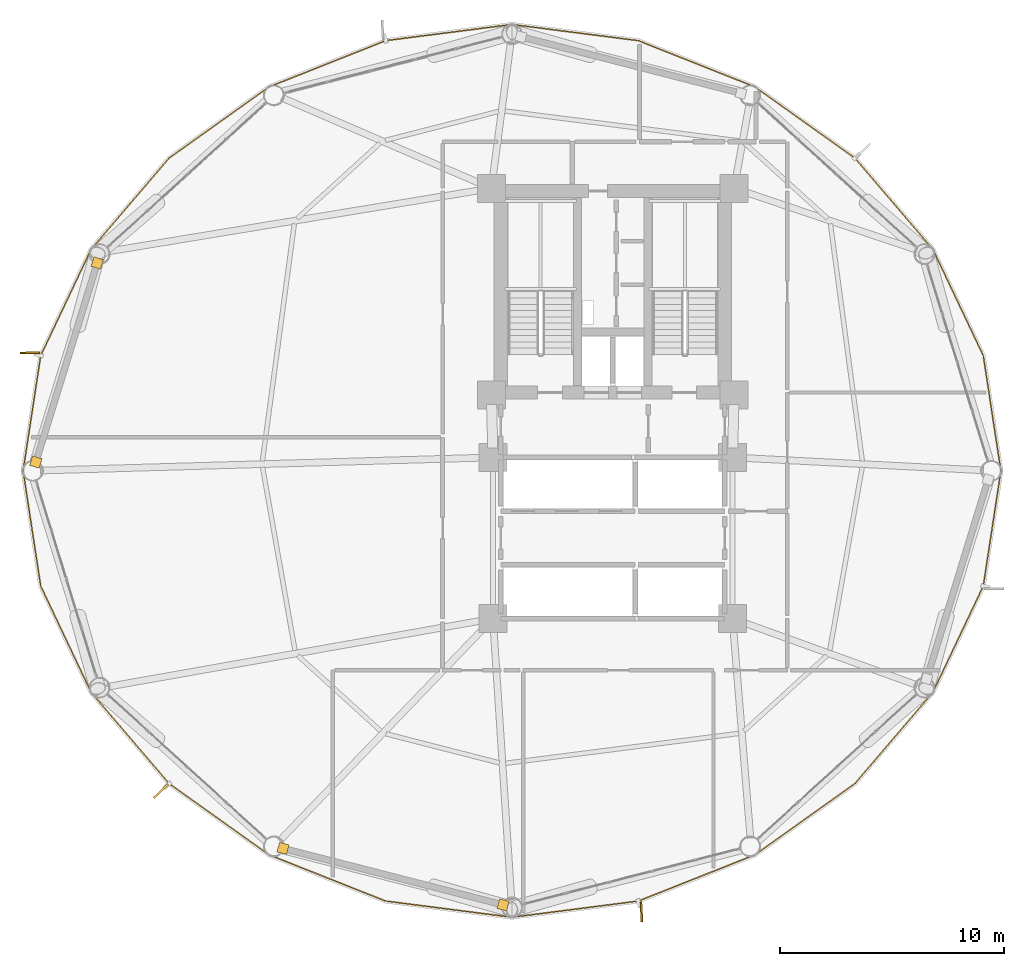
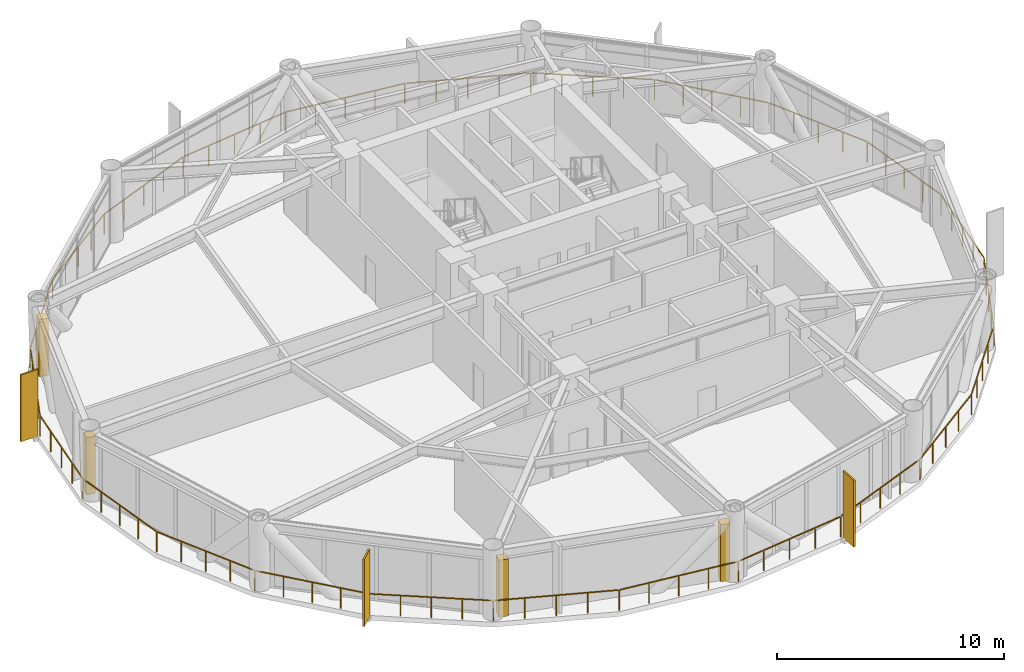
# One storey, part 23 of 25: 4 coverings, 3 shading devices, 1 railing.
"""IFC4 building model written with IfcOpenShell, lengths in metres."""

from ifc_helpers import new_model, si_unit, direction, frame, origin, origin_2d, place, context, subcontext, project, spatial, rectangle, extrude, source, transform, mapped, material, layer, layer_set, type_object, type_shapes, element, save


model = new_model("IFC4")

# Units and contexts
model_context = context("Model", 3, precision=1e-05, world=origin(), true_north=direction((0.0, 1.0)))
body_context = subcontext(model_context, "Body", "Model", "MODEL_VIEW")
ifc_project = project(units=[si_unit("LENGTHUNIT", "METRE"), si_unit("AREAUNIT", "SQUARE_METRE"), si_unit("VOLUMEUNIT", "CUBIC_METRE"), si_unit("PLANEANGLEUNIT", "RADIAN"), si_unit("MASSUNIT", "GRAM", prefix="KILO")], contexts=[model_context])

# Site, building, storey
site_placement = place(None, origin())
site = spatial("IfcSite", under=ifc_project, at=site_placement, CompositionType="ELEMENT")
building_placement = place(site_placement, origin())
building = spatial("IfcBuilding", under=site, at=building_placement, Name="Varnakorn Sky Granary", CompositionType="ELEMENT")
storey_placement = place(building_placement, frame((0.0, 0.0, 58.800048828125)))
storey = spatial("IfcBuildingStorey", under=building, at=storey_placement, Name="L14", CompositionType="ELEMENT", Elevation=58.800048828125)

# Railing
ifc_material = material(Name="Anodised Bronze Aluminium Alloy 6063-T6", Category="aluminium")
railing_type = type_object("IfcRailingType", Name="RL-BAL-1120", PredefinedType="BALUSTRADE", material=ifc_material)
railing_placement = place(storey_placement, frame((20.3369140625, 0.0, 0.0)))
element("IfcRailing", 1, at=railing_placement, inside=storey, type_object=railing_type, Name="Perimeter Slab-Edge Safety Guard L14", PredefinedType="BALUSTRADE", context=body_context, shape_type="SweptSolid", body=[
    extrude(rectangle(XDim=0.048095703125, YDim=0.048095703125, at=origin_2d()), frame((-0.004150390625, -0.027587890625, 1.09619140625), z_axis=(-0.151119609597, -0.988515484752, 0.0), x_axis=(0.988515484752, -0.151119609597, 0.0)), (0.0, 0.0, 1.0), 5.149169921875),
    extrude(rectangle(XDim=0.048095703125, YDim=0.048095703125, at=origin_2d()), frame((-0.798583984375, -5.1708984375, 1.09619140625), z_axis=(-0.428379661267, -0.903598841197, 0.0), x_axis=(0.903598841197, -0.428379661267, 0.0)), (0.0, 0.0, 1.0), 5.203125),
    extrude(rectangle(XDim=0.048095703125, YDim=0.048095703125, at=origin_2d()), frame((-3.057861328125, -9.9189453125, 1.09619140625), z_axis=(-0.649796017062, -0.76010863448, 0.0), x_axis=(0.76010863448, -0.649796017062, 0.0)), (0.0, 0.0, 1.0), 5.2998046875),
    extrude(rectangle(XDim=0.048095703125, YDim=0.048095703125, at=origin_2d()), frame((-6.54248046875, -13.985107421875, 1.09619140625), z_axis=(-0.814371022533, -0.580344585275, 0.0), x_axis=(0.580344585275, -0.814371022533, 0.0)), (0.0, 0.0, 1.0), 5.425048828125),
    extrude(rectangle(XDim=0.048095703125, YDim=0.048095703125, at=origin_2d()), frame((-11.009521484375, -17.159912109375, 1.09619140625), z_axis=(-0.929613398903, -0.368536197111, 0.0), x_axis=(0.368536197111, -0.929613398903, 0.0)), (0.0, 0.0, 1.0), 5.551025390625),
    extrude(rectangle(XDim=0.048095703125, YDim=0.048095703125, at=origin_2d()), frame((-16.2236328125, -19.2197265625, 1.09619140625), z_axis=(-0.991883330611, -0.127151321097, 0.0), x_axis=(0.127151321097, -0.991883330611, 0.0)), (0.0, 0.0, 1.0), 5.63134765625),
    extrude(rectangle(XDim=0.048095703125, YDim=0.048095703125, at=origin_2d()), frame((-21.86474609375, -19.935546875, 1.09619140625), z_axis=(-0.991883330611, 0.127151321097, 0.0), x_axis=(-0.127151321097, -0.991883330611, 0.0)), (0.0, 0.0, 1.0), 5.63134765625),
    extrude(rectangle(XDim=0.048095703125, YDim=0.048095703125, at=origin_2d()), frame((-27.504150390625, -19.205810546875, 1.09619140625), z_axis=(-0.929613398903, 0.368536197111, 0.0), x_axis=(-0.368536197111, -0.929613398903, 0.0)), (0.0, 0.0, 1.0), 5.551025390625),
    extrude(rectangle(XDim=0.048095703125, YDim=0.048095703125, at=origin_2d()), frame((-32.713134765625, -17.13330078125, 1.09619140625), z_axis=(-0.814371022533, 0.580344585275, 0.0), x_axis=(-0.580344585275, -0.814371022533, 0.0)), (0.0, 0.0, 1.0), 5.425048828125),
    extrude(rectangle(XDim=0.048095703125, YDim=0.048095703125, at=origin_2d()), frame((-37.17236328125, -13.947509765625, 1.09619140625), z_axis=(-0.649796017062, 0.76010863448, 0.0), x_axis=(-0.76010863448, -0.649796017062, 0.0)), (0.0, 0.0, 1.0), 5.2998046875),
    extrude(rectangle(XDim=0.048095703125, YDim=0.048095703125, at=origin_2d()), frame((-40.646240234375, -9.872314453125, 1.09619140625), z_axis=(-0.428379661267, 0.903598841197, 0.0), x_axis=(-0.903598841197, -0.428379661267, 0.0)), (0.0, 0.0, 1.0), 5.203125),
    extrude(rectangle(XDim=0.048095703125, YDim=0.048095703125, at=origin_2d()), frame((-42.891357421875, -5.117919921875, 1.09619140625), z_axis=(-0.151119609597, 0.988515484752, 0.0), x_axis=(-0.988515484752, -0.151119609597, 0.0)), (0.0, 0.0, 1.0), 5.149169921875),
    extrude(rectangle(XDim=0.048095703125, YDim=0.048095703125, at=origin_2d()), frame((-43.669677734375, 0.027587890625, 1.09619140625), z_axis=(0.151119609597, 0.988515484752, 0.0), x_axis=(-0.988515484752, 0.151119609597, 0.0)), (0.0, 0.0, 1.0), 5.149169921875),
    extrude(rectangle(XDim=0.048095703125, YDim=0.048095703125, at=origin_2d()), frame((-42.875244140625, 5.1708984375, 1.09619140625), z_axis=(0.428379661267, 0.903598841197, 0.0), x_axis=(-0.903598841197, 0.428379661267, 0.0)), (0.0, 0.0, 1.0), 5.203125),
    extrude(rectangle(XDim=0.048095703125, YDim=0.048095703125, at=origin_2d()), frame((-40.615966796875, 9.9189453125, 1.09619140625), z_axis=(0.649796017062, 0.76010863448, 0.0), x_axis=(-0.76010863448, 0.649796017062, 0.0)), (0.0, 0.0, 1.0), 5.2998046875),
    extrude(rectangle(XDim=0.048095703125, YDim=0.048095703125, at=origin_2d()), frame((-37.13134765625, 13.985107421875, 1.09619140625), z_axis=(0.814371022533, 0.580344585275, 0.0), x_axis=(-0.580344585275, 0.814371022533, 0.0)), (0.0, 0.0, 1.0), 5.425048828125),
    extrude(rectangle(XDim=0.048095703125, YDim=0.048095703125, at=origin_2d()), frame((-32.664306640625, 17.159912109375, 1.09619140625), z_axis=(0.929613398903, 0.368536197111, 0.0), x_axis=(-0.368536197111, 0.929613398903, 0.0)), (0.0, 0.0, 1.0), 5.551025390625),
    extrude(rectangle(XDim=0.048095703125, YDim=0.048095703125, at=origin_2d()), frame((-27.4501953125, 19.2197265625, 1.09619140625), z_axis=(0.991883330611, 0.127151321097, 0.0), x_axis=(-0.127151321097, 0.991883330611, 0.0)), (0.0, 0.0, 1.0), 5.63134765625),
    extrude(rectangle(XDim=0.048095703125, YDim=0.048095703125, at=origin_2d()), frame((-21.80908203125, 19.935546875, 1.09619140625), z_axis=(0.991883330611, -0.127151321097, 0.0), x_axis=(0.127151321097, 0.991883330611, 0.0)), (0.0, 0.0, 1.0), 5.63134765625),
    extrude(rectangle(XDim=0.048095703125, YDim=0.048095703125, at=origin_2d()), frame((-16.169677734375, 19.205810546875, 1.09619140625), z_axis=(0.929613398903, -0.368536197111, 0.0), x_axis=(0.368536197111, 0.929613398903, 0.0)), (0.0, 0.0, 1.0), 5.551025390625),
    extrude(rectangle(XDim=0.048095703125, YDim=0.048095703125, at=origin_2d()), frame((-10.960693359375, 17.13330078125, 1.09619140625), z_axis=(0.814371022533, -0.580344585275, 0.0), x_axis=(0.580344585275, 0.814371022533, 0.0)), (0.0, 0.0, 1.0), 5.425048828125),
    extrude(rectangle(XDim=0.048095703125, YDim=0.048095703125, at=origin_2d()), frame((-6.50146484375, 13.947509765625, 1.09619140625), z_axis=(0.649796017062, -0.76010863448, 0.0), x_axis=(0.76010863448, 0.649796017062, 0.0)), (0.0, 0.0, 1.0), 5.2998046875),
    extrude(rectangle(XDim=0.048095703125, YDim=0.048095703125, at=origin_2d()), frame((-3.027587890625, 9.872314453125, 1.09619140625), z_axis=(0.428379661267, -0.903598841197, 0.0), x_axis=(0.903598841197, 0.428379661267, 0.0)), (0.0, 0.0, 1.0), 5.203125),
    extrude(rectangle(XDim=0.048095703125, YDim=0.048095703125, at=origin_2d()), frame((-0.782470703125, 5.117919921875, 1.09619140625), z_axis=(0.151119609597, -0.988515484752, 0.0), x_axis=(0.988515484752, 0.151119609597, 0.0)), (0.0, 0.0, 1.0), 5.149169921875),
    extrude(rectangle(XDim=0.0419921875, YDim=0.0419921875, at=origin_2d()), origin(), (0.0, 0.0, 1.0), 1.068115234375),
    extrude(rectangle(XDim=0.0419921875, YDim=0.0419921875, at=origin_2d()), frame((-0.19677734375, -1.286376953125, 0.0)), (0.0, 0.0, 1.0), 1.068115234375),
    extrude(rectangle(XDim=0.0419921875, YDim=0.0419921875, at=origin_2d()), frame((-0.393310546875, -2.57275390625, 0.0)), (0.0, 0.0, 1.0), 1.068115234375),
    extrude(rectangle(XDim=0.0419921875, YDim=0.0419921875, at=origin_2d()), frame((-0.58984375, -3.859130859375, 0.0)), (0.0, 0.0, 1.0), 1.068115234375),
    extrude(rectangle(XDim=0.0419921875, YDim=0.0419921875, at=origin_2d()), frame((-0.78662109375, -5.1455078125, 0.0)), (0.0, 0.0, 1.0), 1.068115234375),
    extrude(rectangle(XDim=0.0419921875, YDim=0.0419921875, at=origin_2d()), frame((-1.349853515625, -6.33349609375, 0.0)), (0.0, 0.0, 1.0), 1.068115234375),
    extrude(rectangle(XDim=0.0419921875, YDim=0.0419921875, at=origin_2d()), frame((-1.9130859375, -7.521484375, 0.0)), (0.0, 0.0, 1.0), 1.068115234375),
    extrude(rectangle(XDim=0.0419921875, YDim=0.0419921875, at=origin_2d()), frame((-2.476318359375, -8.709716796875, 0.0)), (0.0, 0.0, 1.0), 1.068115234375),
    extrude(rectangle(XDim=0.0419921875, YDim=0.0419921875, at=origin_2d()), frame((-3.03955078125, -9.897705078125, 0.0)), (0.0, 0.0, 1.0), 1.068115234375),
    extrude(rectangle(XDim=0.0419921875, YDim=0.0419921875, at=origin_2d()), frame((-3.90966796875, -10.91552734375, 0.0)), (0.0, 0.0, 1.0), 1.068115234375),
    extrude(rectangle(XDim=0.0419921875, YDim=0.0419921875, at=origin_2d()), frame((-4.77978515625, -11.93310546875, 0.0)), (0.0, 0.0, 1.0), 1.068115234375),
    extrude(rectangle(XDim=0.0419921875, YDim=0.0419921875, at=origin_2d()), frame((-5.649658203125, -12.950927734375, 0.0)), (0.0, 0.0, 1.0), 1.068115234375),
    extrude(rectangle(XDim=0.0419921875, YDim=0.0419921875, at=origin_2d()), frame((-6.519775390625, -13.96875, 0.0)), (0.0, 0.0, 1.0), 1.068115234375),
    extrude(rectangle(XDim=0.0419921875, YDim=0.0419921875, at=origin_2d()), frame((-7.6357421875, -14.763916015625, 0.0)), (0.0, 0.0, 1.0), 1.068115234375),
    extrude(rectangle(XDim=0.0419921875, YDim=0.0419921875, at=origin_2d()), frame((-8.75146484375, -15.55908203125, 0.0)), (0.0, 0.0, 1.0), 1.068115234375),
    extrude(rectangle(XDim=0.0419921875, YDim=0.0419921875, at=origin_2d()), frame((-9.867431640625, -16.3544921875, 0.0)), (0.0, 0.0, 1.0), 1.068115234375),
    extrude(rectangle(XDim=0.0419921875, YDim=0.0419921875, at=origin_2d()), frame((-10.9833984375, -17.149658203125, 0.0)), (0.0, 0.0, 1.0), 1.068115234375),
    extrude(rectangle(XDim=0.0419921875, YDim=0.0419921875, at=origin_2d()), frame((-12.28662109375, -17.666259765625, 0.0)), (0.0, 0.0, 1.0), 1.068115234375),
    extrude(rectangle(XDim=0.0419921875, YDim=0.0419921875, at=origin_2d()), frame((-13.589599609375, -18.182861328125, 0.0)), (0.0, 0.0, 1.0), 1.068115234375),
    extrude(rectangle(XDim=0.0419921875, YDim=0.0419921875, at=origin_2d()), frame((-14.892578125, -18.699462890625, 0.0)), (0.0, 0.0, 1.0), 1.068115234375),
    extrude(rectangle(XDim=0.0419921875, YDim=0.0419921875, at=origin_2d()), frame((-16.19580078125, -19.216064453125, 0.0)), (0.0, 0.0, 1.0), 1.068115234375),
    extrude(rectangle(XDim=0.0419921875, YDim=0.0419921875, at=origin_2d()), frame((-17.60595703125, -19.39697265625, 0.0)), (0.0, 0.0, 1.0), 1.068115234375),
    extrude(rectangle(XDim=0.0419921875, YDim=0.0419921875, at=origin_2d()), frame((-19.016357421875, -19.57763671875, 0.0)), (0.0, 0.0, 1.0), 1.068115234375),
    extrude(rectangle(XDim=0.0419921875, YDim=0.0419921875, at=origin_2d()), frame((-20.4267578125, -19.75830078125, 0.0)), (0.0, 0.0, 1.0), 1.068115234375),
    extrude(rectangle(XDim=0.0419921875, YDim=0.0419921875, at=origin_2d()), frame((-21.8369140625, -19.939208984375, 0.0)), (0.0, 0.0, 1.0), 1.068115234375),
    extrude(rectangle(XDim=0.0419921875, YDim=0.0419921875, at=origin_2d()), frame((-23.2470703125, -19.75830078125, 0.0)), (0.0, 0.0, 1.0), 1.068115234375),
    extrude(rectangle(XDim=0.0419921875, YDim=0.0419921875, at=origin_2d()), frame((-24.657470703125, -19.57763671875, 0.0)), (0.0, 0.0, 1.0), 1.068115234375),
    extrude(rectangle(XDim=0.0419921875, YDim=0.0419921875, at=origin_2d()), frame((-26.06787109375, -19.39697265625, 0.0)), (0.0, 0.0, 1.0), 1.068115234375),
    extrude(rectangle(XDim=0.0419921875, YDim=0.0419921875, at=origin_2d()), frame((-27.47802734375, -19.216064453125, 0.0)), (0.0, 0.0, 1.0), 1.068115234375),
    extrude(rectangle(XDim=0.0419921875, YDim=0.0419921875, at=origin_2d()), frame((-28.78125, -18.699462890625, 0.0)), (0.0, 0.0, 1.0), 1.068115234375),
    extrude(rectangle(XDim=0.0419921875, YDim=0.0419921875, at=origin_2d()), frame((-30.084228515625, -18.182861328125, 0.0)), (0.0, 0.0, 1.0), 1.068115234375),
    extrude(rectangle(XDim=0.0419921875, YDim=0.0419921875, at=origin_2d()), frame((-31.38720703125, -17.666259765625, 0.0)), (0.0, 0.0, 1.0), 1.068115234375),
    extrude(rectangle(XDim=0.0419921875, YDim=0.0419921875, at=origin_2d()), frame((-32.6904296875, -17.149658203125, 0.0)), (0.0, 0.0, 1.0), 1.068115234375),
    extrude(rectangle(XDim=0.0419921875, YDim=0.0419921875, at=origin_2d()), frame((-33.806396484375, -16.3544921875, 0.0)), (0.0, 0.0, 1.0), 1.068115234375),
    extrude(rectangle(XDim=0.0419921875, YDim=0.0419921875, at=origin_2d()), frame((-34.92236328125, -15.55908203125, 0.0)), (0.0, 0.0, 1.0), 1.068115234375),
    extrude(rectangle(XDim=0.0419921875, YDim=0.0419921875, at=origin_2d()), frame((-36.0380859375, -14.763916015625, 0.0)), (0.0, 0.0, 1.0), 1.068115234375),
    extrude(rectangle(XDim=0.0419921875, YDim=0.0419921875, at=origin_2d()), frame((-37.154052734375, -13.96875, 0.0)), (0.0, 0.0, 1.0), 1.068115234375),
    extrude(rectangle(XDim=0.0419921875, YDim=0.0419921875, at=origin_2d()), frame((-38.024169921875, -12.950927734375, 0.0)), (0.0, 0.0, 1.0), 1.068115234375),
    extrude(rectangle(XDim=0.0419921875, YDim=0.0419921875, at=origin_2d()), frame((-38.89404296875, -11.93310546875, 0.0)), (0.0, 0.0, 1.0), 1.068115234375),
    extrude(rectangle(XDim=0.0419921875, YDim=0.0419921875, at=origin_2d()), frame((-39.76416015625, -10.91552734375, 0.0)), (0.0, 0.0, 1.0), 1.068115234375),
    extrude(rectangle(XDim=0.0419921875, YDim=0.0419921875, at=origin_2d()), frame((-40.63427734375, -9.897705078125, 0.0)), (0.0, 0.0, 1.0), 1.068115234375),
    extrude(rectangle(XDim=0.0419921875, YDim=0.0419921875, at=origin_2d()), frame((-41.197509765625, -8.709716796875, 0.0)), (0.0, 0.0, 1.0), 1.068115234375),
    extrude(rectangle(XDim=0.0419921875, YDim=0.0419921875, at=origin_2d()), frame((-41.7607421875, -7.521484375, 0.0)), (0.0, 0.0, 1.0), 1.068115234375),
    extrude(rectangle(XDim=0.0419921875, YDim=0.0419921875, at=origin_2d()), frame((-42.323974609375, -6.33349609375, 0.0)), (0.0, 0.0, 1.0), 1.068115234375),
    extrude(rectangle(XDim=0.0419921875, YDim=0.0419921875, at=origin_2d()), frame((-42.88720703125, -5.1455078125, 0.0)), (0.0, 0.0, 1.0), 1.068115234375),
    extrude(rectangle(XDim=0.0419921875, YDim=0.0419921875, at=origin_2d()), frame((-43.083984375, -3.859130859375, 0.0)), (0.0, 0.0, 1.0), 1.068115234375),
    extrude(rectangle(XDim=0.0419921875, YDim=0.0419921875, at=origin_2d()), frame((-43.280517578125, -2.57275390625, 0.0)), (0.0, 0.0, 1.0), 1.068115234375),
    extrude(rectangle(XDim=0.0419921875, YDim=0.0419921875, at=origin_2d()), frame((-43.47705078125, -1.286376953125, 0.0)), (0.0, 0.0, 1.0), 1.068115234375),
    extrude(rectangle(XDim=0.0419921875, YDim=0.0419921875, at=origin_2d()), frame((-43.673828125, 0.0, 0.0)), (0.0, 0.0, 1.0), 1.068115234375),
    extrude(rectangle(XDim=0.0419921875, YDim=0.0419921875, at=origin_2d()), frame((-43.47705078125, 1.286376953125, 0.0)), (0.0, 0.0, 1.0), 1.068115234375),
    extrude(rectangle(XDim=0.0419921875, YDim=0.0419921875, at=origin_2d()), frame((-43.280517578125, 2.57275390625, 0.0)), (0.0, 0.0, 1.0), 1.068115234375),
    extrude(rectangle(XDim=0.0419921875, YDim=0.0419921875, at=origin_2d()), frame((-43.083984375, 3.859130859375, 0.0)), (0.0, 0.0, 1.0), 1.068115234375),
    extrude(rectangle(XDim=0.0419921875, YDim=0.0419921875, at=origin_2d()), frame((-42.88720703125, 5.1455078125, 0.0)), (0.0, 0.0, 1.0), 1.068115234375),
    extrude(rectangle(XDim=0.0419921875, YDim=0.0419921875, at=origin_2d()), frame((-42.323974609375, 6.33349609375, 0.0)), (0.0, 0.0, 1.0), 1.068115234375),
    extrude(rectangle(XDim=0.0419921875, YDim=0.0419921875, at=origin_2d()), frame((-41.7607421875, 7.521484375, 0.0)), (0.0, 0.0, 1.0), 1.068115234375),
    extrude(rectangle(XDim=0.0419921875, YDim=0.0419921875, at=origin_2d()), frame((-41.197509765625, 8.709716796875, 0.0)), (0.0, 0.0, 1.0), 1.068115234375),
    extrude(rectangle(XDim=0.0419921875, YDim=0.0419921875, at=origin_2d()), frame((-40.63427734375, 9.897705078125, 0.0)), (0.0, 0.0, 1.0), 1.068115234375),
    extrude(rectangle(XDim=0.0419921875, YDim=0.0419921875, at=origin_2d()), frame((-39.76416015625, 10.91552734375, 0.0)), (0.0, 0.0, 1.0), 1.068115234375),
    extrude(rectangle(XDim=0.0419921875, YDim=0.0419921875, at=origin_2d()), frame((-38.89404296875, 11.93310546875, 0.0)), (0.0, 0.0, 1.0), 1.068115234375),
    extrude(rectangle(XDim=0.0419921875, YDim=0.0419921875, at=origin_2d()), frame((-38.024169921875, 12.950927734375, 0.0)), (0.0, 0.0, 1.0), 1.068115234375),
    extrude(rectangle(XDim=0.0419921875, YDim=0.0419921875, at=origin_2d()), frame((-37.154052734375, 13.96875, 0.0)), (0.0, 0.0, 1.0), 1.068115234375),
    extrude(rectangle(XDim=0.0419921875, YDim=0.0419921875, at=origin_2d()), frame((-36.0380859375, 14.763916015625, 0.0)), (0.0, 0.0, 1.0), 1.068115234375),
    extrude(rectangle(XDim=0.0419921875, YDim=0.0419921875, at=origin_2d()), frame((-34.92236328125, 15.55908203125, 0.0)), (0.0, 0.0, 1.0), 1.068115234375),
    extrude(rectangle(XDim=0.0419921875, YDim=0.0419921875, at=origin_2d()), frame((-33.806396484375, 16.3544921875, 0.0)), (0.0, 0.0, 1.0), 1.068115234375),
    extrude(rectangle(XDim=0.0419921875, YDim=0.0419921875, at=origin_2d()), frame((-32.6904296875, 17.149658203125, 0.0)), (0.0, 0.0, 1.0), 1.068115234375),
    extrude(rectangle(XDim=0.0419921875, YDim=0.0419921875, at=origin_2d()), frame((-31.38720703125, 17.666259765625, 0.0)), (0.0, 0.0, 1.0), 1.068115234375),
    extrude(rectangle(XDim=0.0419921875, YDim=0.0419921875, at=origin_2d()), frame((-30.084228515625, 18.182861328125, 0.0)), (0.0, 0.0, 1.0), 1.068115234375),
    extrude(rectangle(XDim=0.0419921875, YDim=0.0419921875, at=origin_2d()), frame((-28.78125, 18.699462890625, 0.0)), (0.0, 0.0, 1.0), 1.068115234375),
    extrude(rectangle(XDim=0.0419921875, YDim=0.0419921875, at=origin_2d()), frame((-27.47802734375, 19.216064453125, 0.0)), (0.0, 0.0, 1.0), 1.068115234375),
    extrude(rectangle(XDim=0.0419921875, YDim=0.0419921875, at=origin_2d()), frame((-26.06787109375, 19.39697265625, 0.0)), (0.0, 0.0, 1.0), 1.068115234375),
    extrude(rectangle(XDim=0.0419921875, YDim=0.0419921875, at=origin_2d()), frame((-24.657470703125, 19.57763671875, 0.0)), (0.0, 0.0, 1.0), 1.068115234375),
    extrude(rectangle(XDim=0.0419921875, YDim=0.0419921875, at=origin_2d()), frame((-23.2470703125, 19.75830078125, 0.0)), (0.0, 0.0, 1.0), 1.068115234375),
    extrude(rectangle(XDim=0.0419921875, YDim=0.0419921875, at=origin_2d()), frame((-21.8369140625, 19.939208984375, 0.0)), (0.0, 0.0, 1.0), 1.068115234375),
    extrude(rectangle(XDim=0.0419921875, YDim=0.0419921875, at=origin_2d()), frame((-20.4267578125, 19.75830078125, 0.0)), (0.0, 0.0, 1.0), 1.068115234375),
    extrude(rectangle(XDim=0.0419921875, YDim=0.0419921875, at=origin_2d()), frame((-19.016357421875, 19.57763671875, 0.0)), (0.0, 0.0, 1.0), 1.068115234375),
    extrude(rectangle(XDim=0.0419921875, YDim=0.0419921875, at=origin_2d()), frame((-17.60595703125, 19.39697265625, 0.0)), (0.0, 0.0, 1.0), 1.068115234375),
    extrude(rectangle(XDim=0.0419921875, YDim=0.0419921875, at=origin_2d()), frame((-16.19580078125, 19.216064453125, 0.0)), (0.0, 0.0, 1.0), 1.068115234375),
    extrude(rectangle(XDim=0.0419921875, YDim=0.0419921875, at=origin_2d()), frame((-14.892578125, 18.699462890625, 0.0)), (0.0, 0.0, 1.0), 1.068115234375),
    extrude(rectangle(XDim=0.0419921875, YDim=0.0419921875, at=origin_2d()), frame((-13.589599609375, 18.182861328125, 0.0)), (0.0, 0.0, 1.0), 1.068115234375),
    extrude(rectangle(XDim=0.0419921875, YDim=0.0419921875, at=origin_2d()), frame((-12.28662109375, 17.666259765625, 0.0)), (0.0, 0.0, 1.0), 1.068115234375),
    extrude(rectangle(XDim=0.0419921875, YDim=0.0419921875, at=origin_2d()), frame((-10.9833984375, 17.149658203125, 0.0)), (0.0, 0.0, 1.0), 1.068115234375),
    extrude(rectangle(XDim=0.0419921875, YDim=0.0419921875, at=origin_2d()), frame((-9.867431640625, 16.3544921875, 0.0)), (0.0, 0.0, 1.0), 1.068115234375),
    extrude(rectangle(XDim=0.0419921875, YDim=0.0419921875, at=origin_2d()), frame((-8.75146484375, 15.55908203125, 0.0)), (0.0, 0.0, 1.0), 1.068115234375),
    extrude(rectangle(XDim=0.0419921875, YDim=0.0419921875, at=origin_2d()), frame((-7.6357421875, 14.763916015625, 0.0)), (0.0, 0.0, 1.0), 1.068115234375),
    extrude(rectangle(XDim=0.0419921875, YDim=0.0419921875, at=origin_2d()), frame((-6.519775390625, 13.96875, 0.0)), (0.0, 0.0, 1.0), 1.068115234375),
    extrude(rectangle(XDim=0.0419921875, YDim=0.0419921875, at=origin_2d()), frame((-5.649658203125, 12.950927734375, 0.0)), (0.0, 0.0, 1.0), 1.068115234375),
    extrude(rectangle(XDim=0.0419921875, YDim=0.0419921875, at=origin_2d()), frame((-4.77978515625, 11.93310546875, 0.0)), (0.0, 0.0, 1.0), 1.068115234375),
    extrude(rectangle(XDim=0.0419921875, YDim=0.0419921875, at=origin_2d()), frame((-3.90966796875, 10.91552734375, 0.0)), (0.0, 0.0, 1.0), 1.068115234375),
    extrude(rectangle(XDim=0.0419921875, YDim=0.0419921875, at=origin_2d()), frame((-3.03955078125, 9.897705078125, 0.0)), (0.0, 0.0, 1.0), 1.068115234375),
    extrude(rectangle(XDim=0.0419921875, YDim=0.0419921875, at=origin_2d()), frame((-2.476318359375, 8.709716796875, 0.0)), (0.0, 0.0, 1.0), 1.068115234375),
    extrude(rectangle(XDim=0.0419921875, YDim=0.0419921875, at=origin_2d()), frame((-1.9130859375, 7.521484375, 0.0)), (0.0, 0.0, 1.0), 1.068115234375),
    extrude(rectangle(XDim=0.0419921875, YDim=0.0419921875, at=origin_2d()), frame((-1.349853515625, 6.33349609375, 0.0)), (0.0, 0.0, 1.0), 1.068115234375),
    extrude(rectangle(XDim=0.0419921875, YDim=0.0419921875, at=origin_2d()), frame((-0.78662109375, 5.1455078125, 0.0)), (0.0, 0.0, 1.0), 1.068115234375),
    extrude(rectangle(XDim=0.0419921875, YDim=0.0419921875, at=origin_2d()), frame((-0.58984375, 3.859130859375, 0.0)), (0.0, 0.0, 1.0), 1.068115234375),
    extrude(rectangle(XDim=0.0419921875, YDim=0.0419921875, at=origin_2d()), frame((-0.393310546875, 2.57275390625, 0.0)), (0.0, 0.0, 1.0), 1.068115234375),
    extrude(rectangle(XDim=0.0419921875, YDim=0.0419921875, at=origin_2d()), frame((-0.19677734375, 1.286376953125, 0.0)), (0.0, 0.0, 1.0), 1.068115234375),
])

# Shading devices
shading_device_type = type_object("IfcShadingDeviceType", Name="SH-FIN-01", PredefinedType="USERDEFINED", material=ifc_material)
shared_shape_1 = source(origin(), body_context, "Body", "SweptSolid", [
    extrude(rectangle(XDim=0.0849609375, YDim=0.8798828125, at=origin_2d()), origin(), (0.0, 0.0, 1.0), 3.60009765625),
])
type_shapes(shading_device_type, [shared_shape_1])
for number, where, z_axis, x_axis, name in (
    (2, (-23.0361328125, 5.267578125, -0.0400390625), (0.0, 0.0, 1.0), (0.007845817733, -0.999969221098, 0.0), "Bronze Solar-Tracking Vertical Blade FIN L14-06"),
    (3, (-17.1845703125, -14.308837890625, -0.0400390625), (0.0, 0.0, 1.0), (0.692627232972, -0.721295720316, 0.0), "Bronze Solar-Tracking Vertical Blade FIN L14-08"),
    (4, (4.28173828125, -19.69677734375, -0.0400390625), (0.0, 0.0, 1.0), (0.998721510407, 0.050550416919, 0.0), "Bronze Solar-Tracking Vertical Blade FIN L14-10"),
):
    element("IfcShadingDevice", number, at=place(storey_placement, frame(where, z_axis=z_axis, x_axis=x_axis)), inside=storey, type_object=shading_device_type, Name=name, ObjectType="FIN", PredefinedType="USERDEFINED", context=body_context, shape_type="MappedRepresentation", body=[
        mapped(shared_shape_1, transform((0.0, 0.0, 0.0), x_axis=(1.0, 0.0, 0.0), y_axis=(0.0, 1.0, 0.0), z_axis=(0.0, 0.0, 1.0), scale=1.0)),
    ])

# Coverings
ifc_layer = layer(ifc_material, 0.050048828125, Name="Anodised Bronze Aluminium Alloy 6063-T6")
ifc_layer_set = layer_set([ifc_layer], Name="Anodised Bronze Aluminium Alloy 6063-T6")
covering_type = type_object("IfcCoveringType", Name="CV-CLAD-50", PredefinedType="CLADDING", material=ifc_layer_set)
shared_shape_2 = source(origin(), body_context, "Body", "SweptSolid", [
    extrude(rectangle(XDim=0.43994140625, YDim=0.43994140625, at=origin_2d()), origin(), (0.0, 0.0, 1.0), 3.080078125),
])
type_shapes(covering_type, [shared_shape_2])
for number, where, z_axis, x_axis, name in (
    (5, (-22.7666015625, 0.393798828125, -0.02001953125), (0.0, 0.0, 1.0), (0.294540736955, 0.955638924633, 0.0), "Bronze Corner Pilaster Closure L14-P06-A"),
    (6, (-20.02685546875, 9.28369140625, -0.02001953125), (0.0, 0.0, 1.0), (0.294540736955, 0.955638924633, 0.0), "Bronze Corner Pilaster Closure L14-P06-B"),
    (7, (-1.899169921875, -19.3876953125, -0.02001953125), (0.0, 0.0, 1.0), (-0.968583161129, 0.248689887165, 0.0), "Bronze Corner Pilaster Closure L14-P09-A"),
    (8, (-11.727294921875, -16.8642578125, -0.02001953125), (0.0, 0.0, 1.0), (-0.968583161129, 0.248689887165, 0.0), "Bronze Corner Pilaster Closure L14-P09-B"),
):
    element("IfcCovering", number, at=place(storey_placement, frame(where, z_axis=z_axis, x_axis=x_axis)), inside=storey, type_object=covering_type, Name=name, PredefinedType="CLADDING", context=body_context, shape_type="MappedRepresentation", body=[
        mapped(shared_shape_2, transform((0.0, 0.0, 0.0), x_axis=(1.0, 0.0, 0.0), y_axis=(0.0, 1.0, 0.0), z_axis=(0.0, 0.0, 1.0), scale=1.0)),
    ])

save(model, "model.ifc")
